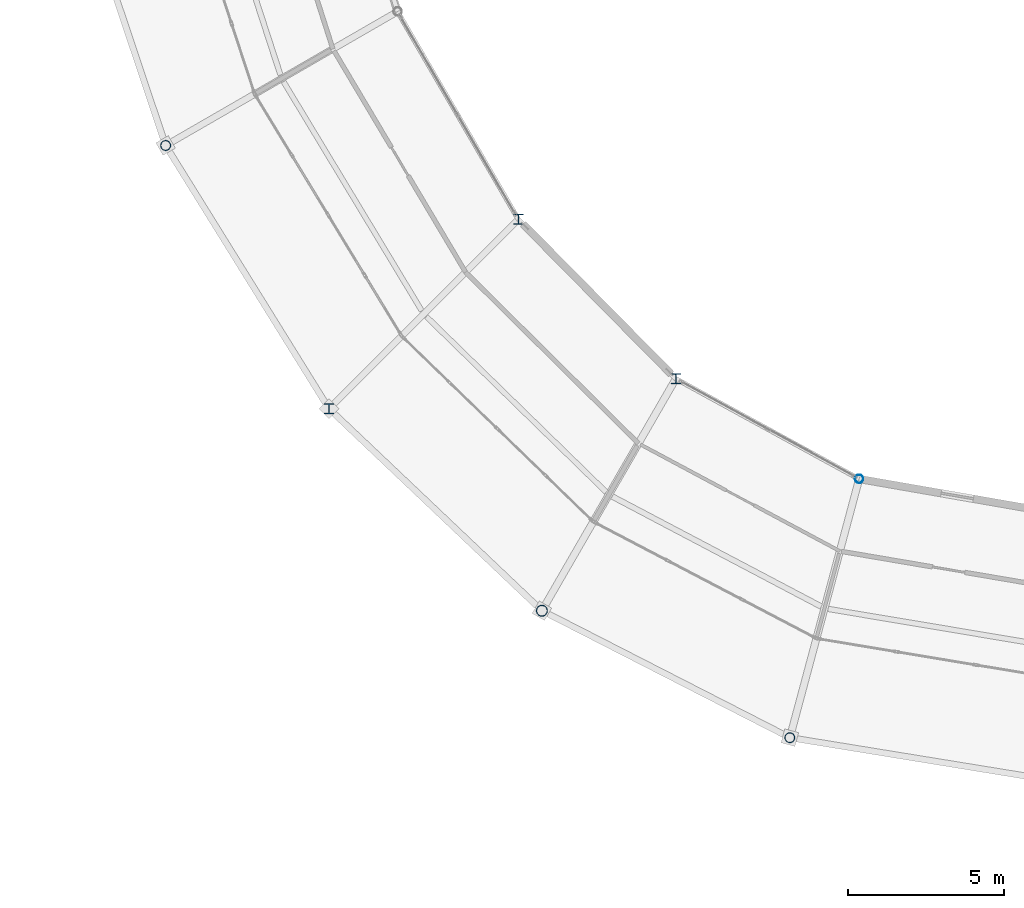
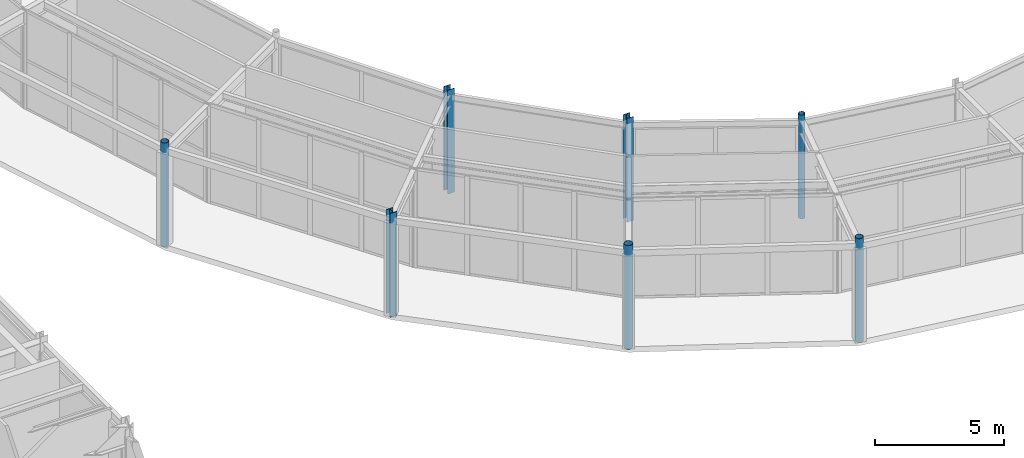
# One storey, part 2 of 144: 7 columns.
"""IFC4 building model written with IfcOpenShell, lengths in metres."""

from ifc_helpers import new_model, si_unit, direction, frame, origin, origin_2d, place, context, subcontext, project, spatial, hollow_circle, i_section, extrude, material, material_profile, profile_set, type_object, element, save


model = new_model("IFC4")

# Units and contexts
model_context = context("Model", 3, precision=1e-05, world=origin(), true_north=direction((0.0, 1.0)))
body_context = subcontext(model_context, "Body", "Model", "MODEL_VIEW")
ifc_project = project(units=[si_unit("LENGTHUNIT", "METRE"), si_unit("AREAUNIT", "SQUARE_METRE"), si_unit("VOLUMEUNIT", "CUBIC_METRE"), si_unit("PLANEANGLEUNIT", "RADIAN"), si_unit("MASSUNIT", "GRAM", prefix="KILO")], contexts=[model_context])

# Site, building, storey
site_placement = place(None, origin())
site = spatial("IfcSite", under=ifc_project, at=site_placement, CompositionType="ELEMENT")
building_placement = place(site_placement, origin())
building = spatial("IfcBuilding", under=site, at=building_placement, Name="Karori Crest Natural Sciences Institute", CompositionType="ELEMENT")
storey_placement = place(building_placement, origin())
storey = spatial("IfcBuildingStorey", under=building, at=storey_placement, Name="L00", CompositionType="ELEMENT", Elevation=0.0)

# Columns
ifc_material_1 = material(Name="Structural steel AS/NZS 3679.1 Grade 350", Category="steel")
ifc_material_profile_1 = material_profile(ifc_material_1, i_section(OverallWidth=0.31103515625, OverallDepth=0.326904296875, WebThickness=0.015625, FlangeThickness=0.02490234375, FilletRadius=0.01708984375, at=origin_2d()), Name="310UC158")
ifc_profile_set_1 = profile_set([ifc_material_profile_1], Name="Structural steel AS/NZS 3679.1 Grade 350")
column_type_1 = type_object("IfcColumnType", Name="CT-04", PredefinedType="COLUMN", material=ifc_profile_set_1)
column_1_placement = place(storey_placement, frame((43.0654296875, 21.050048828125, 0.0), z_axis=(0.0, 0.0, 1.0), x_axis=(1.0, 0.0, 0.0)))
element("IfcColumn", 1, at=column_1_placement, inside=storey, type_object=column_type_1, Name="Column C-0253", PredefinedType="COLUMN", context=body_context, shape_type="SweptSolid", body=[
    extrude(i_section(OverallWidth=0.31103515625, OverallDepth=0.326904296875, WebThickness=0.015625, FlangeThickness=0.02490234375, FilletRadius=0.01708984375, at=origin_2d()), origin(), (0.0, 0.0, 1.0), 4.89990234375),
])
ifc_material_profile_2 = material_profile(ifc_material_1, i_section(OverallWidth=0.306884765625, OverallDepth=0.31494140625, WebThickness=0.011962890625, FlangeThickness=0.018798828125, FilletRadius=0.01708984375, at=origin_2d()), Name="310UC118")
ifc_profile_set_2 = profile_set([ifc_material_profile_2], Name="Structural steel AS/NZS 3679.1 Grade 350")
column_type_2 = type_object("IfcColumnType", Name="CT-05", PredefinedType="COLUMN", material=ifc_profile_set_2)
column_2_placement = place(storey_placement, frame((49.146484375, 27.131103515625, 0.0), z_axis=(0.0, 0.0, 1.0), x_axis=(1.0, 0.0, 0.0)))
element("IfcColumn", 2, at=column_2_placement, inside=storey, type_object=column_type_2, Name="Column C-0254", PredefinedType="COLUMN", context=body_context, shape_type="SweptSolid", body=[
    extrude(i_section(OverallWidth=0.306884765625, OverallDepth=0.31494140625, WebThickness=0.011962890625, FlangeThickness=0.018798828125, FilletRadius=0.01708984375, at=origin_2d()), origin(), (0.0, 0.0, 1.0), 4.89990234375),
])
ifc_material_2 = material(Name="Hollow structural steel AS/NZS 1163 Grade C350", Category="steel")
ifc_material_profile_3 = material_profile(ifc_material_2, hollow_circle(Radius=0.177734375, WallThickness=0.0126953125, at=origin_2d()), Name="CHS355.6x12.7")
ifc_profile_set_3 = profile_set([ifc_material_profile_3], Name="Hollow structural steel AS/NZS 1163 Grade C350")
column_type_3 = type_object("IfcColumnType", Name="CT-14", PredefinedType="COLUMN", material=ifc_profile_set_3)
column_3_placement = place(storey_placement, frame((49.89990234375, 14.566162109375, 0.0), z_axis=(0.0, 0.0, 1.0), x_axis=(1.0, 0.0, 0.0)))
element("IfcColumn", 3, at=column_3_placement, inside=storey, type_object=column_type_3, Name="Column C-0267", PredefinedType="COLUMN", context=body_context, shape_type="SweptSolid", body=[
    extrude(hollow_circle(Radius=0.177734375, WallThickness=0.0126953125, at=origin_2d()), origin(), (0.0, 0.0, 1.0), 4.89990234375),
])
ifc_material_profile_4 = material_profile(ifc_material_2, hollow_circle(Radius=0.161865234375, WallThickness=0.0126953125, at=origin_2d()), Name="CHS323.9x12.7")
ifc_profile_set_4 = profile_set([ifc_material_profile_4], Name="Hollow structural steel AS/NZS 1163 Grade C350")
column_type_4 = type_object("IfcColumnType", Name="CT-15", PredefinedType="COLUMN", material=ifc_profile_set_4)
for number, where, z_axis, x_axis, name in (
    (4, (37.8212890625, 29.5, 0.0), (0.0, 0.0, 1.0), (1.0, 0.0, 0.0), "Column C-0239"),
    (5, (57.85888671875, 10.490234375, 0.0), (0.0, 0.0, 1.0), (1.0, 0.0, 0.0), "Column C-0283"),
):
    element("IfcColumn", number, at=place(storey_placement, frame(where, z_axis=z_axis, x_axis=x_axis)), inside=storey, type_object=column_type_4, Name=name, PredefinedType="COLUMN", context=body_context, shape_type="SweptSolid", body=[
        extrude(hollow_circle(Radius=0.161865234375, WallThickness=0.0126953125, at=origin_2d()), origin(), (0.0, 0.0, 1.0), 4.89990234375),
    ])
ifc_material_profile_5 = material_profile(ifc_material_2, hollow_circle(Radius=0.136474609375, WallThickness=0.00927734375, at=origin_2d()), Name="CHS273.0x9.3")
ifc_profile_set_5 = profile_set([ifc_material_profile_5], Name="Hollow structural steel AS/NZS 1163 Grade C350")
column_type_5 = type_object("IfcColumnType", Name="CT-16", PredefinedType="COLUMN", material=ifc_profile_set_5)
column_4_placement = place(storey_placement, frame((60.084716796875, 18.797119140625, 0.0), z_axis=(0.0, 0.0, 1.0), x_axis=(1.0, 0.0, 0.0)))
element("IfcColumn", 6, at=column_4_placement, inside=storey, type_object=column_type_5, Name="Column C-0284", PredefinedType="COLUMN", context=body_context, shape_type="SweptSolid", body=[
    extrude(hollow_circle(Radius=0.136474609375, WallThickness=0.00927734375, at=origin_2d()), origin(), (0.0, 0.0, 1.0), 4.89990234375),
])
ifc_material_profile_6 = material_profile(ifc_material_1, i_section(OverallWidth=0.304931640625, OverallDepth=0.30810546875, WebThickness=0.010009765625, FlangeThickness=0.015380859375, FilletRadius=0.01708984375, at=origin_2d()), Name="310UC96.8")
ifc_profile_set_6 = profile_set([ifc_material_profile_6], Name="Structural steel AS/NZS 3679.1 Grade 350")
column_type_6 = type_object("IfcColumnType", Name="CT-25", PredefinedType="COLUMN", material=ifc_profile_set_6)
column_5_placement = place(storey_placement, frame((54.199951171875, 22.013916015625, 0.0), z_axis=(0.0, 0.0, 1.0), x_axis=(1.0, 0.0, 0.0)))
element("IfcColumn", 7, at=column_5_placement, inside=storey, type_object=column_type_6, Name="Column C-0268", PredefinedType="COLUMN", context=body_context, shape_type="SweptSolid", body=[
    extrude(i_section(OverallWidth=0.304931640625, OverallDepth=0.30810546875, WebThickness=0.010009765625, FlangeThickness=0.015380859375, FilletRadius=0.01708984375, at=origin_2d()), origin(), (0.0, 0.0, 1.0), 4.89990234375),
])

save(model, "model.ifc")
